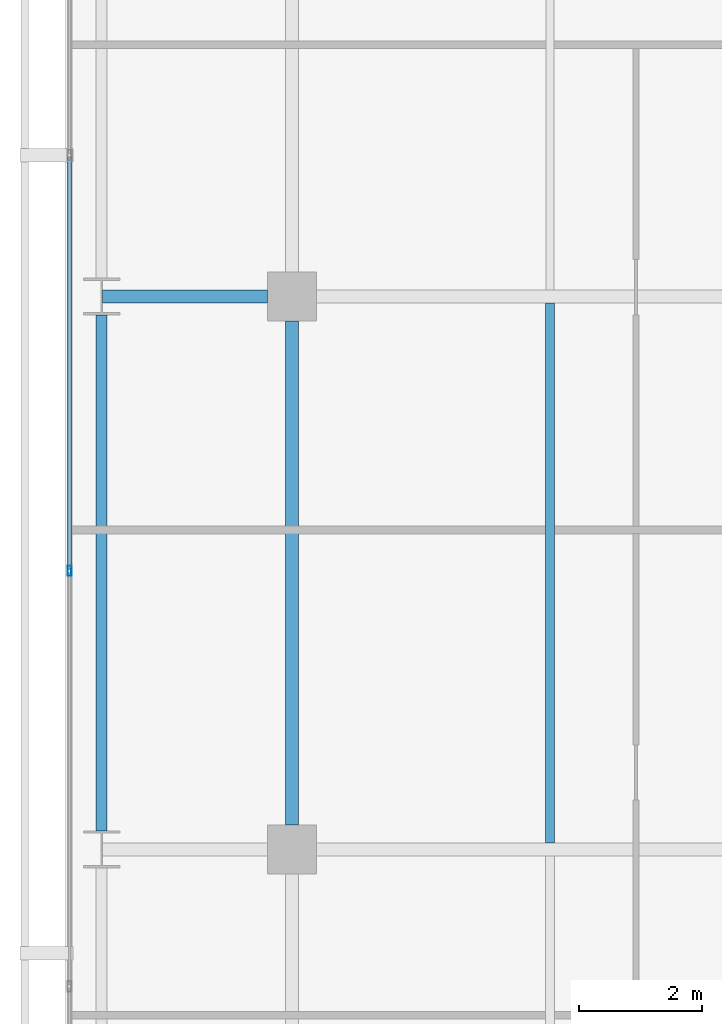
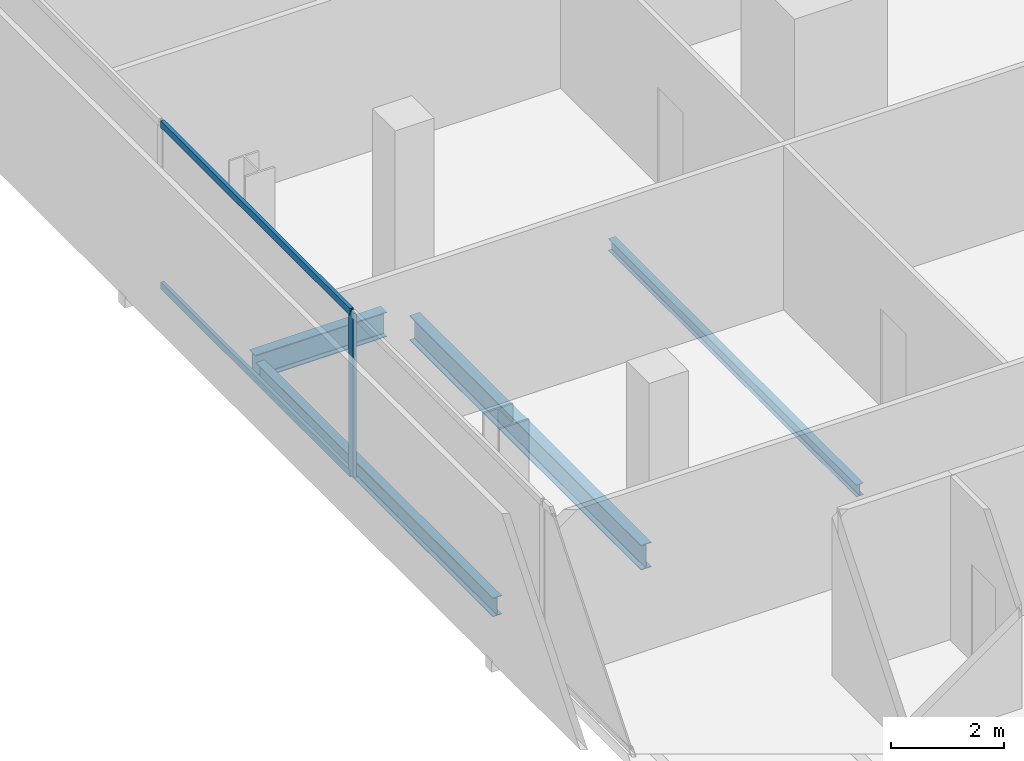
# One storey, part 8 of 32: 4 beams, 3 members, 1 element without a shape of its own.
"""IFC4 building model written with IfcOpenShell, lengths in metres."""

import ifcopenshell
import ifcopenshell.guid

model = None  # the IFC model being written
_history = None  # IfcOwnerHistory: only IFC2X3 demands one
_inside = {}  # id of a spatial element -> (the spatial element, [elements in it])
_under = {}  # id of a project, library or spatial element -> (it, [spatial elements below it])
_declared = {}  # id of a project -> (the project, [libraries it declares])
_typed = {}  # id of a type object -> (the type object, [elements of that type])
_made_of = {}  # id of a material, layer set ... -> (it, [elements and type objects made of it])


def new_model(schema):
    """Start an empty IFC model of exactly this schema.

    Asked for "IFC4X3", IfcOpenShell would pick the latest addendum, in which some entities
    have other attributes; the version numbers below select the first issue.
    IFC2X3 requires an IfcOwnerHistory on every rooted entity: one is made here for all.
    """
    global model, _history
    if schema == "IFC4X3":
        model = ifcopenshell.file(schema_version=(4, 3, 0, 0))
    else:
        model = ifcopenshell.file(schema=schema)
    _inside.clear()
    _under.clear()
    _declared.clear()
    _typed.clear()
    _made_of.clear()
    _history = None
    if model.schema == "IFC2X3":
        org = make("IfcOrganization", Name="unknown")
        user = make(
            "IfcPersonAndOrganization",
            ThePerson=make("IfcPerson", FamilyName="unknown"),
            TheOrganization=org,
        )
        app = make(
            "IfcApplication",
            ApplicationDeveloper=org,
            Version="unknown",
            ApplicationFullName="unknown",
            ApplicationIdentifier="unknown",
        )
        _history = make(
            "IfcOwnerHistory",
            OwningUser=user,
            OwningApplication=app,
            ChangeAction="ADDED",
            CreationDate=0,
        )
    return model


def make(cls, **values):
    """One entity of the class cls with the attributes given. An attribute that is None is left unset."""
    return model.create_entity(
        cls, **{name: value for name, value in values.items() if value is not None}
    )


def rooted(cls, **values):
    """An entity with a GlobalId (a new one), such as an element, a storey or a relation."""
    return make(cls, GlobalId=ifcopenshell.guid.new(), OwnerHistory=_history, **values)


def si_unit(unit_type, name, prefix=None):
    """IfcSIUnit, for example si_unit("LENGTHUNIT", "METRE", prefix="MILLI")."""
    return make("IfcSIUnit", UnitType=unit_type, Prefix=prefix, Name=name)


def assignment(units):
    """IfcUnitAssignment: the units of a project."""
    return None if units is None else make("IfcUnitAssignment", Units=units)


def point(xyz):
    """IfcCartesianPoint."""
    return None if xyz is None else make("IfcCartesianPoint", Coordinates=xyz)


def direction(xyz):
    """IfcDirection."""
    return None if xyz is None else make("IfcDirection", DirectionRatios=xyz)


def frame(location, z_axis=None, x_axis=None):
    """IfcAxis2Placement3D, a coordinate frame: its origin and axes. An axis left out is left unset."""
    return make(
        "IfcAxis2Placement3D",
        Location=point(location),
        Axis=direction(z_axis),
        RefDirection=direction(x_axis),
    )


def frame_2d(location, x_axis=None):
    """IfcAxis2Placement2D, a coordinate frame in the plane: its origin and x axis."""
    return make(
        "IfcAxis2Placement2D", Location=point(location), RefDirection=direction(x_axis)
    )


def origin():
    """The frame at (0, 0, 0) with its axes left unset."""
    return frame((0.0, 0.0, 0.0))


def origin_2d():
    """The frame at (0, 0) in the plane with its x axis left unset."""
    return frame_2d((0.0, 0.0))


def place(relative_to, where):
    """IfcLocalPlacement: puts the frame where relative to a parent placement (None: the world)."""
    return make(
        "IfcLocalPlacement", PlacementRelTo=relative_to, RelativePlacement=where
    )


def context(
    kind, dimensions, precision=None, world=None, true_north=None, identifier=None
):
    """IfcGeometricRepresentationContext, for example the 3D "Model" context."""
    return make(
        "IfcGeometricRepresentationContext",
        ContextIdentifier=identifier,
        ContextType=kind,
        CoordinateSpaceDimension=dimensions,
        Precision=precision,
        WorldCoordinateSystem=world,
        TrueNorth=true_north,
    )


def subcontext(parent, identifier, kind, view, scale=None):
    """IfcGeometricRepresentationSubContext, for example "Body" below "Model"."""
    return make(
        "IfcGeometricRepresentationSubContext",
        ContextIdentifier=identifier,
        ContextType=kind,
        ParentContext=parent,
        TargetScale=scale,
        TargetView=view,
    )


def project(units=None, contexts=None):
    """IfcProject with its units and contexts."""
    return rooted(
        "IfcProject",
        Name="project",
        RepresentationContexts=contexts,
        UnitsInContext=assignment(units),
    )


def spatial(cls, under=None, at=None, **own):
    """A site, building, storey or space (cls), placed at a placement, below another one or the project."""
    s = rooted(cls, ObjectPlacement=at, **own)
    if under is not None:
        _under.setdefault(under.id(), (under, []))[1].append(s)
    return s


def profile(cls, at=None, kind="AREA", **sizes):
    """A parametric profile (cls). Its sizes go by their IFC names, for example OverallWidth=200.0."""
    return make(cls, ProfileType=kind, Position=at, **sizes)


def hollow_rectangle(**sizes):
    """IfcRectangleHollowProfileDef."""
    return profile("IfcRectangleHollowProfileDef", **sizes)


def i_section(**sizes):
    """IfcIShapeProfileDef."""
    return profile("IfcIShapeProfileDef", **sizes)


def extrude(swept, where, along, depth):
    """IfcExtrudedAreaSolid: the profile swept, set in the frame where, extruded along a direction by depth."""
    return make(
        "IfcExtrudedAreaSolid",
        SweptArea=swept,
        Position=where,
        ExtrudedDirection=direction(along),
        Depth=depth,
    )


def shape(context_of_items, identifier, shape_type, items):
    """IfcShapeRepresentation: the items that make up one representation, for example the "Body"."""
    return make(
        "IfcShapeRepresentation",
        ContextOfItems=context_of_items,
        RepresentationIdentifier=identifier,
        RepresentationType=shape_type,
        Items=items,
    )


def material(Name=None, Category=None):
    """IfcMaterial."""
    return make("IfcMaterial", Name=Name, Category=Category)


def layer(
    of_material, thickness, ventilated=None, Name=None, Category=None, Priority=None
):
    """IfcMaterialLayer: one layer of a wall or slab, of a material (None: an air gap)."""
    return make(
        "IfcMaterialLayer",
        Material=of_material,
        LayerThickness=thickness,
        IsVentilated=ventilated,
        Name=Name,
        Category=Category,
        Priority=Priority,
    )


def layer_set(layers, Name=None):
    """IfcMaterialLayerSet."""
    return make("IfcMaterialLayerSet", MaterialLayers=layers, LayerSetName=Name)


def material_profile(
    of_material, cross_section, Name=None, Category=None, Priority=None
):
    """IfcMaterialProfile: a cross section and its material."""
    return make(
        "IfcMaterialProfile",
        Name=Name,
        Material=of_material,
        Profile=cross_section,
        Priority=Priority,
        Category=Category,
    )


def profile_set(profiles, Name=None, composite=None):
    """IfcMaterialProfileSet."""
    return make(
        "IfcMaterialProfileSet",
        Name=Name,
        MaterialProfiles=profiles,
        CompositeProfile=composite,
    )


def made_of(thing, what):
    """Note that an element or type object is made of a material, layer set ...; save() writes the relation."""
    if what is not None:
        _made_of.setdefault(what.id(), (what, []))[1].append(thing)
    return thing


def type_object(cls, material=None, **own):
    """A type object (cls), such as IfcWallType, which elements share."""
    return made_of(rooted(cls, **own), material)


def element(
    cls,
    number,
    at=None,
    inside=None,
    cuts=None,
    type_object=None,
    material=None,
    context=None,
    identifier="Body",
    shape_type=None,
    held_by="IfcProductDefinitionShape",
    body=None,
    shapes=None,
    **own,
):
    """One element of the class cls, such as IfcWall. Its Tag is "e" and its number.

    at: its placement. inside: the storey or other place that contains it. cuts: it is an
    opening in that element (IfcRelVoidsElement). A single representation is given by context,
    identifier, shape_type and body (its items); several are given by shapes. held_by: the class
    of the entity that holds the representations. save() writes the other relations.
    """
    e = rooted(cls, Tag="e%d" % number, ObjectPlacement=at, **own)
    if body is not None:
        shapes = [shape(context, identifier, shape_type, body)]
    if shapes is not None:
        e.Representation = make(held_by, Representations=shapes)
    if inside is not None:
        _inside.setdefault(inside.id(), (inside, []))[1].append(e)
    if cuts is not None:
        rooted(
            "IfcRelVoidsElement", RelatingBuildingElement=cuts, RelatedOpeningElement=e
        )
    if type_object is not None:
        _typed.setdefault(type_object.id(), (type_object, []))[1].append(e)
    return made_of(e, material)


def aggregate(whole, parts):
    """IfcRelAggregates: a whole, such as a stair, and the parts it consists of."""
    return rooted("IfcRelAggregates", RelatingObject=whole, RelatedObjects=parts)


def save(model, path):
    """Write the relations noted so far, then the file.

    IfcRelAggregates (storeys below a building ...), IfcRelContainedInSpatialStructure (elements
    in a storey), IfcRelDefinesByType, IfcRelAssociatesMaterial and IfcRelDeclares: one each for
    every whole, place, type object, material and project.
    """
    for whole, parts in _under.values():
        aggregate(whole, parts)
    for where, things in _inside.values():
        rooted(
            "IfcRelContainedInSpatialStructure",
            RelatedElements=things,
            RelatingStructure=where,
        )
    for kind, things in _typed.values():
        rooted("IfcRelDefinesByType", RelatedObjects=things, RelatingType=kind)
    for what, things in _made_of.values():
        rooted("IfcRelAssociatesMaterial", RelatedObjects=things, RelatingMaterial=what)
    for by, libraries in _declared.values():
        rooted("IfcRelDeclares", RelatingContext=by, RelatedDefinitions=libraries)
    model.write(path)


model = new_model("IFC4")

# Units and contexts
model_context = context("Model", 3, precision=1e-05, world=origin(), true_north=direction((0.0, 1.0)))
body_context = subcontext(model_context, "Body", "Model", "MODEL_VIEW")
ifc_project = project(units=[si_unit("LENGTHUNIT", "METRE"), si_unit("AREAUNIT", "SQUARE_METRE"), si_unit("VOLUMEUNIT", "CUBIC_METRE"), si_unit("PLANEANGLEUNIT", "RADIAN"), si_unit("MASSUNIT", "GRAM", prefix="KILO")], contexts=[model_context])

# Site, building, storey
site_placement = place(None, origin())
site = spatial("IfcSite", under=ifc_project, at=site_placement, CompositionType="ELEMENT")
building_placement = place(site_placement, origin())
building = spatial("IfcBuilding", under=site, at=building_placement, Name="Maruvema Waterfront Hotel and Observation Tower", CompositionType="ELEMENT")
storey_placement = place(building_placement, frame((0.0, 0.0, 223.64990234375)))
storey = spatial("IfcBuildingStorey", under=building, at=storey_placement, Name="L55", CompositionType="ELEMENT", Elevation=223.64990234375)

# Curtain wall, members
ifc_material_1 = material(Name="Anodised bronze aluminium and solar-control low-E IGU", Category="aluminium")
ifc_layer = layer(ifc_material_1, 0.159912109375, Name="Zone 2 Amber Inner Thermal Curtain Wall System CW-03")
ifc_layer_set = layer_set([ifc_layer], Name="Anodised bronze aluminium and solar-control low-E IGU")
curtain_wall_type = type_object("IfcCurtainWallType", Name="Zone 2 Amber Inner Thermal Curtain Wall System CW-03", PredefinedType="USERDEFINED", material=ifc_layer_set)
curtain_wall_placement = place(storey_placement, origin())
curtain_wall = element("IfcCurtainWall", 1, at=curtain_wall_placement, inside=storey, type_object=curtain_wall_type, Name="L55 Curtain Wall CW-L55-W", ObjectType="UNITISED CURTAIN WALL", PredefinedType="USERDEFINED")
ifc_material_2 = material(Name="Anodised architectural bronze aluminium", Category="aluminium")
ifc_material_profile_1 = material_profile(ifc_material_2, hollow_rectangle(XDim=0.070068359375, YDim=0.14990234375, WallThickness=0.00390625, at=origin_2d()), Name="ALU-T70x150")
ifc_profile_set_1 = profile_set([ifc_material_profile_1], Name="Anodised architectural bronze aluminium")
member_type_1 = type_object("IfcMemberType", Name="Curtain Wall Horizontal Transom ALU-T70x150", PredefinedType="USERDEFINED", material=ifc_profile_set_1)
member_1_placement = place(storey_placement, frame((13.179931640625, 29.27001953125, 0.030029296875), z_axis=(0.0, -1.0, 0.0), x_axis=(1.0, 0.0, 0.0)))
member_1 = element("IfcMember", 2, at=member_1_placement, type_object=member_type_1, Name="CW-03 transom 4.1", ObjectType="TRANSOM", PredefinedType="USERDEFINED", context=body_context, shape_type="SweptSolid", body=[
    extrude(hollow_rectangle(XDim=0.070068359375, YDim=0.14990234375, WallThickness=0.00390625, at=origin_2d()), origin(), (0.0, 0.0, 1.0), 6.706787109375),
])
member_2_placement = place(storey_placement, frame((13.179931640625, 29.27001953125, 3.52001953125), z_axis=(0.0, -1.0, 0.0), x_axis=(1.0, 0.0, 0.0)))
member_2 = element("IfcMember", 3, at=member_2_placement, type_object=member_type_1, Name="CW-03 transom 4.2", ObjectType="TRANSOM", PredefinedType="USERDEFINED", context=body_context, shape_type="SweptSolid", body=[
    extrude(hollow_rectangle(XDim=0.070068359375, YDim=0.14990234375, WallThickness=0.00390625, at=origin_2d()), origin(), (0.0, 0.0, 1.0), 6.706787109375),
])
ifc_material_3 = material(Name="Anodised architectural bronze aluminium", Category="aluminium")
ifc_material_profile_2 = material_profile(ifc_material_3, hollow_rectangle(XDim=0.06494140625, YDim=0.1650390625, WallThickness=0.00390625, at=origin_2d()), Name="ALU-M65x165")
ifc_profile_set_2 = profile_set([ifc_material_profile_2], Name="Anodised architectural bronze aluminium")
member_type_2 = type_object("IfcMemberType", Name="Curtain Wall Primary Mullion ALU-M65x165", PredefinedType="MULLION", material=ifc_profile_set_2)
member_3_placement = place(storey_placement, frame((13.179931640625, 22.533447265625, 0.0), z_axis=(0.0, 0.0, 1.0), x_axis=(1.0, 0.0, 0.0)))
member_3 = element("IfcMember", 4, at=member_3_placement, type_object=member_type_2, Name="CW-03 mullion 5", PredefinedType="MULLION", context=body_context, shape_type="SweptSolid", body=[
    extrude(hollow_rectangle(XDim=0.06494140625, YDim=0.1650390625, WallThickness=0.00390625, at=origin_2d()), origin(), (0.0, 0.0, 1.0), 3.550048828125),
])
aggregate(curtain_wall, [member_3, member_1, member_2])

# Beams
ifc_material_4 = material(Name="Steel ASTM A572 Grade 50", Category="steel")
ifc_material_profile_3 = material_profile(ifc_material_4, i_section(OverallWidth=0.178955078125, OverallDepth=0.409912109375, WebThickness=0.0087890625, FlangeThickness=0.014404296875, FilletRadius=0.014892578125, at=origin_2d()), Name="W410x67.0")
ifc_profile_set_3 = profile_set([ifc_material_profile_3], Name="Steel ASTM A572 Grade 50")
beam_type_1 = type_object("IfcBeamType", Name="Perimeter Spandrel Beam W410x67.0", PredefinedType="SPANDREL", material=ifc_profile_set_3)
beam_1_placement = place(storey_placement, frame((13.699951171875, 18.300048828125, -0.44482421875), z_axis=(0.0, 1.0, 0.0), x_axis=(-1.0, 0.0, 0.0)))
element("IfcBeam", 5, at=beam_1_placement, inside=storey, type_object=beam_type_1, Name="L55 Floor Girder NS-02", PredefinedType="SPANDREL", context=body_context, shape_type="SweptSolid", body=[
    extrude(i_section(OverallWidth=0.178955078125, OverallDepth=0.409912109375, WebThickness=0.0087890625, FlangeThickness=0.014404296875, FilletRadius=0.014892578125, at=origin_2d()), origin(), (0.0, 0.0, 1.0), 8.39990234375),
])
ifc_material_5 = material(Name="Steel ASTM A572 Grade 50", Category="steel")
ifc_material_profile_4 = material_profile(ifc_material_5, i_section(OverallWidth=0.2109375, OverallDepth=0.5390625, WebThickness=0.01171875, FlangeThickness=0.018798828125, FilletRadius=0.014892578125, at=origin_2d()), Name="W530x109.0")
ifc_profile_set_4 = profile_set([ifc_material_profile_4], Name="Steel ASTM A572 Grade 50")
beam_type_2 = type_object("IfcBeamType", Name="Primary Floor Girder W530x109.0", PredefinedType="BEAM", material=ifc_profile_set_4)
beam_2_placement = place(storey_placement, frame((13.71240234375, 27.0, -0.509521484375), z_axis=(1.0, 0.0, 0.0), x_axis=(0.0, 1.0, 0.0)))
element("IfcBeam", 6, at=beam_2_placement, inside=storey, type_object=beam_type_2, Name="L55 Floor Girder EW-18", PredefinedType="BEAM", context=body_context, shape_type="SweptSolid", body=[
    extrude(i_section(OverallWidth=0.2109375, OverallDepth=0.5390625, WebThickness=0.01171875, FlangeThickness=0.018798828125, FilletRadius=0.014892578125, at=origin_2d()), origin(), (0.0, 0.0, 1.0), 2.6875),
])
beam_3_placement = place(storey_placement, frame((16.800048828125, 18.39990234375, -0.509521484375), z_axis=(0.0, 1.0, 0.0), x_axis=(-1.0, 0.0, 0.0)))
element("IfcBeam", 7, at=beam_3_placement, inside=storey, type_object=beam_type_2, Name="L55 Floor Girder NS-06", PredefinedType="BEAM", context=body_context, shape_type="SweptSolid", body=[
    extrude(i_section(OverallWidth=0.2109375, OverallDepth=0.5390625, WebThickness=0.01171875, FlangeThickness=0.018798828125, FilletRadius=0.014892578125, at=origin_2d()), origin(), (0.0, 0.0, 1.0), 8.2001953125),
])
ifc_material_6 = material(Name="Steel ASTM A572 Grade 50", Category="steel")
ifc_material_profile_5 = material_profile(ifc_material_6, i_section(OverallWidth=0.14599609375, OverallDepth=0.258056640625, WebThickness=0.006103515625, FlangeThickness=0.009033203125, FilletRadius=0.012939453125, at=origin_2d()), Name="W250x32.7")
ifc_profile_set_5 = profile_set([ifc_material_profile_5], Name="Steel ASTM A572 Grade 50")
beam_type_3 = type_object("IfcBeamType", Name="Secondary Floor Joist W250x32.7", PredefinedType="JOIST", material=ifc_profile_set_5)
beam_4_placement = place(storey_placement, frame((21.0, 18.10546875, -0.368896484375), z_axis=(0.0, 1.0, 0.0), x_axis=(-1.0, 0.0, 0.0)))
element("IfcBeam", 8, at=beam_4_placement, inside=storey, type_object=beam_type_3, Name="L55 Secondary Floor Joist JS-02", PredefinedType="JOIST", context=body_context, shape_type="SweptSolid", body=[
    extrude(i_section(OverallWidth=0.14599609375, OverallDepth=0.258056640625, WebThickness=0.006103515625, FlangeThickness=0.009033203125, FilletRadius=0.012939453125, at=origin_2d()), origin(), (0.0, 0.0, 1.0), 8.7890625),
])

save(model, "model.ifc")
